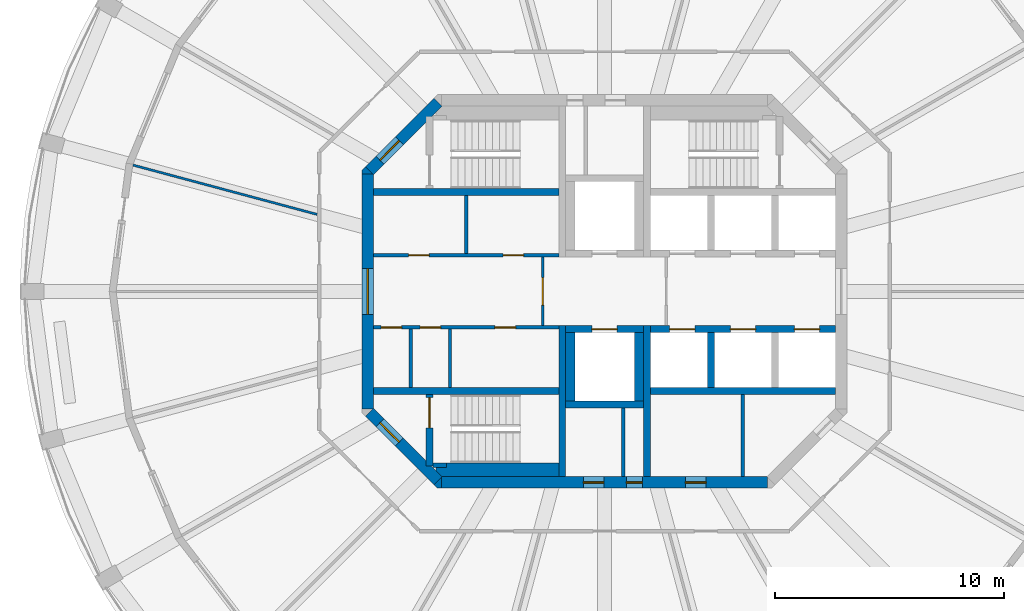
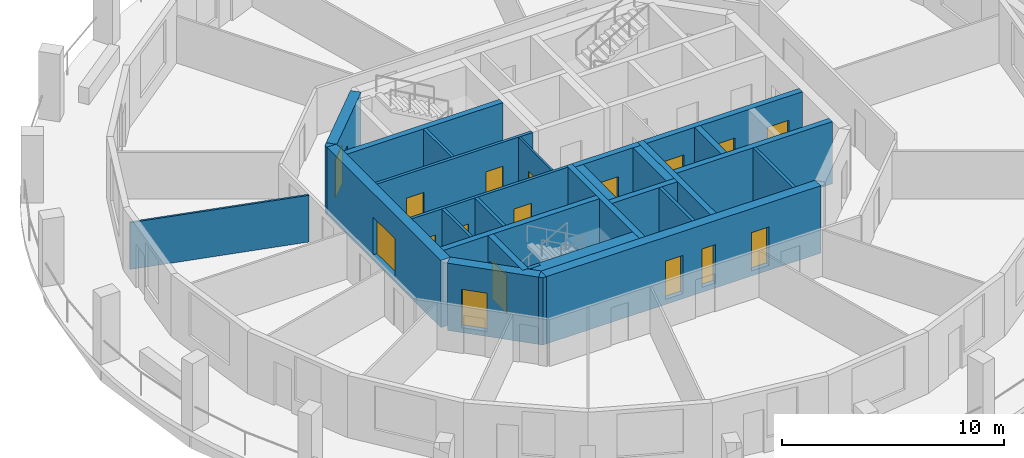
# One storey, part 3 of 8: 29 walls, 17 doors, 17 openings.
"""IFC4 building model written with IfcOpenShell, lengths in metres."""

import ifcopenshell
import ifcopenshell.guid

model = None  # the IFC model being written
_history = None  # IfcOwnerHistory: only IFC2X3 demands one
_inside = {}  # id of a spatial element -> (the spatial element, [elements in it])
_under = {}  # id of a project, library or spatial element -> (it, [spatial elements below it])
_declared = {}  # id of a project -> (the project, [libraries it declares])
_typed = {}  # id of a type object -> (the type object, [elements of that type])
_made_of = {}  # id of a material, layer set ... -> (it, [elements and type objects made of it])


def new_model(schema):
    """Start an empty IFC model of exactly this schema.

    Asked for "IFC4X3", IfcOpenShell would pick the latest addendum, in which some entities
    have other attributes; the version numbers below select the first issue.
    IFC2X3 requires an IfcOwnerHistory on every rooted entity: one is made here for all.
    """
    global model, _history
    if schema == "IFC4X3":
        model = ifcopenshell.file(schema_version=(4, 3, 0, 0))
    else:
        model = ifcopenshell.file(schema=schema)
    _inside.clear()
    _under.clear()
    _declared.clear()
    _typed.clear()
    _made_of.clear()
    _history = None
    if model.schema == "IFC2X3":
        org = make("IfcOrganization", Name="unknown")
        user = make(
            "IfcPersonAndOrganization",
            ThePerson=make("IfcPerson", FamilyName="unknown"),
            TheOrganization=org,
        )
        app = make(
            "IfcApplication",
            ApplicationDeveloper=org,
            Version="unknown",
            ApplicationFullName="unknown",
            ApplicationIdentifier="unknown",
        )
        _history = make(
            "IfcOwnerHistory",
            OwningUser=user,
            OwningApplication=app,
            ChangeAction="ADDED",
            CreationDate=0,
        )
    return model


def make(cls, **values):
    """One entity of the class cls with the attributes given. An attribute that is None is left unset."""
    return model.create_entity(
        cls, **{name: value for name, value in values.items() if value is not None}
    )


def rooted(cls, **values):
    """An entity with a GlobalId (a new one), such as an element, a storey or a relation."""
    return make(cls, GlobalId=ifcopenshell.guid.new(), OwnerHistory=_history, **values)


def si_unit(unit_type, name, prefix=None):
    """IfcSIUnit, for example si_unit("LENGTHUNIT", "METRE", prefix="MILLI")."""
    return make("IfcSIUnit", UnitType=unit_type, Prefix=prefix, Name=name)


def assignment(units):
    """IfcUnitAssignment: the units of a project."""
    return None if units is None else make("IfcUnitAssignment", Units=units)


def point(xyz):
    """IfcCartesianPoint."""
    return None if xyz is None else make("IfcCartesianPoint", Coordinates=xyz)


def direction(xyz):
    """IfcDirection."""
    return None if xyz is None else make("IfcDirection", DirectionRatios=xyz)


def frame(location, z_axis=None, x_axis=None):
    """IfcAxis2Placement3D, a coordinate frame: its origin and axes. An axis left out is left unset."""
    return make(
        "IfcAxis2Placement3D",
        Location=point(location),
        Axis=direction(z_axis),
        RefDirection=direction(x_axis),
    )


def frame_2d(location, x_axis=None):
    """IfcAxis2Placement2D, a coordinate frame in the plane: its origin and x axis."""
    return make(
        "IfcAxis2Placement2D", Location=point(location), RefDirection=direction(x_axis)
    )


def origin():
    """The frame at (0, 0, 0) with its axes left unset."""
    return frame((0.0, 0.0, 0.0))


def place(relative_to, where):
    """IfcLocalPlacement: puts the frame where relative to a parent placement (None: the world)."""
    return make(
        "IfcLocalPlacement", PlacementRelTo=relative_to, RelativePlacement=where
    )


def context(
    kind, dimensions, precision=None, world=None, true_north=None, identifier=None
):
    """IfcGeometricRepresentationContext, for example the 3D "Model" context."""
    return make(
        "IfcGeometricRepresentationContext",
        ContextIdentifier=identifier,
        ContextType=kind,
        CoordinateSpaceDimension=dimensions,
        Precision=precision,
        WorldCoordinateSystem=world,
        TrueNorth=true_north,
    )


def subcontext(parent, identifier, kind, view, scale=None):
    """IfcGeometricRepresentationSubContext, for example "Body" below "Model"."""
    return make(
        "IfcGeometricRepresentationSubContext",
        ContextIdentifier=identifier,
        ContextType=kind,
        ParentContext=parent,
        TargetScale=scale,
        TargetView=view,
    )


def project(units=None, contexts=None):
    """IfcProject with its units and contexts."""
    return rooted(
        "IfcProject",
        Name="project",
        RepresentationContexts=contexts,
        UnitsInContext=assignment(units),
    )


def spatial(cls, under=None, at=None, **own):
    """A site, building, storey or space (cls), placed at a placement, below another one or the project."""
    s = rooted(cls, ObjectPlacement=at, **own)
    if under is not None:
        _under.setdefault(under.id(), (under, []))[1].append(s)
    return s


def polyline(points):
    """IfcPolyline through the points."""
    return make("IfcPolyline", Points=[point(p) for p in points])


def profile(cls, at=None, kind="AREA", **sizes):
    """A parametric profile (cls). Its sizes go by their IFC names, for example OverallWidth=200.0."""
    return make(cls, ProfileType=kind, Position=at, **sizes)


def rectangle(**sizes):
    """IfcRectangleProfileDef."""
    return profile("IfcRectangleProfileDef", **sizes)


def outline(outer, holes=None, kind="AREA"):
    """IfcArbitraryClosedProfileDef: a profile drawn as a closed curve; with holes, ...WithVoids."""
    if holes is None:
        return make("IfcArbitraryClosedProfileDef", ProfileType=kind, OuterCurve=outer)
    return make(
        "IfcArbitraryProfileDefWithVoids",
        ProfileType=kind,
        OuterCurve=outer,
        InnerCurves=holes,
    )


def extrude(swept, where, along, depth):
    """IfcExtrudedAreaSolid: the profile swept, set in the frame where, extruded along a direction by depth."""
    return make(
        "IfcExtrudedAreaSolid",
        SweptArea=swept,
        Position=where,
        ExtrudedDirection=direction(along),
        Depth=depth,
    )


def shape(context_of_items, identifier, shape_type, items):
    """IfcShapeRepresentation: the items that make up one representation, for example the "Body"."""
    return make(
        "IfcShapeRepresentation",
        ContextOfItems=context_of_items,
        RepresentationIdentifier=identifier,
        RepresentationType=shape_type,
        Items=items,
    )


def material(Name=None, Category=None):
    """IfcMaterial."""
    return make("IfcMaterial", Name=Name, Category=Category)


def layer(
    of_material, thickness, ventilated=None, Name=None, Category=None, Priority=None
):
    """IfcMaterialLayer: one layer of a wall or slab, of a material (None: an air gap)."""
    return make(
        "IfcMaterialLayer",
        Material=of_material,
        LayerThickness=thickness,
        IsVentilated=ventilated,
        Name=Name,
        Category=Category,
        Priority=Priority,
    )


def layer_set(layers, Name=None):
    """IfcMaterialLayerSet."""
    return make("IfcMaterialLayerSet", MaterialLayers=layers, LayerSetName=Name)


def made_of(thing, what):
    """Note that an element or type object is made of a material, layer set ...; save() writes the relation."""
    if what is not None:
        _made_of.setdefault(what.id(), (what, []))[1].append(thing)
    return thing


def type_object(cls, material=None, **own):
    """A type object (cls), such as IfcWallType, which elements share."""
    return made_of(rooted(cls, **own), material)


def element(
    cls,
    number,
    at=None,
    inside=None,
    cuts=None,
    type_object=None,
    material=None,
    context=None,
    identifier="Body",
    shape_type=None,
    held_by="IfcProductDefinitionShape",
    body=None,
    shapes=None,
    **own,
):
    """One element of the class cls, such as IfcWall. Its Tag is "e" and its number.

    at: its placement. inside: the storey or other place that contains it. cuts: it is an
    opening in that element (IfcRelVoidsElement). A single representation is given by context,
    identifier, shape_type and body (its items); several are given by shapes. held_by: the class
    of the entity that holds the representations. save() writes the other relations.
    """
    e = rooted(cls, Tag="e%d" % number, ObjectPlacement=at, **own)
    if body is not None:
        shapes = [shape(context, identifier, shape_type, body)]
    if shapes is not None:
        e.Representation = make(held_by, Representations=shapes)
    if inside is not None:
        _inside.setdefault(inside.id(), (inside, []))[1].append(e)
    if cuts is not None:
        rooted(
            "IfcRelVoidsElement", RelatingBuildingElement=cuts, RelatedOpeningElement=e
        )
    if type_object is not None:
        _typed.setdefault(type_object.id(), (type_object, []))[1].append(e)
    return made_of(e, material)


def fill(opening, filler):
    """IfcRelFillsElement: the door or window that sits in an opening."""
    return rooted(
        "IfcRelFillsElement",
        RelatingOpeningElement=opening,
        RelatedBuildingElement=filler,
    )


def aggregate(whole, parts):
    """IfcRelAggregates: a whole, such as a stair, and the parts it consists of."""
    return rooted("IfcRelAggregates", RelatingObject=whole, RelatedObjects=parts)


def save(model, path):
    """Write the relations noted so far, then the file.

    IfcRelAggregates (storeys below a building ...), IfcRelContainedInSpatialStructure (elements
    in a storey), IfcRelDefinesByType, IfcRelAssociatesMaterial and IfcRelDeclares: one each for
    every whole, place, type object, material and project.
    """
    for whole, parts in _under.values():
        aggregate(whole, parts)
    for where, things in _inside.values():
        rooted(
            "IfcRelContainedInSpatialStructure",
            RelatedElements=things,
            RelatingStructure=where,
        )
    for kind, things in _typed.values():
        rooted("IfcRelDefinesByType", RelatedObjects=things, RelatingType=kind)
    for what, things in _made_of.values():
        rooted("IfcRelAssociatesMaterial", RelatedObjects=things, RelatingMaterial=what)
    for by, libraries in _declared.values():
        rooted("IfcRelDeclares", RelatingContext=by, RelatedDefinitions=libraries)
    model.write(path)


model = new_model("IFC4")

# Units and contexts
model_context = context("Model", 3, precision=1e-05, world=origin(), true_north=direction((0.0, 1.0)))
body_context = subcontext(model_context, "Body", "Model", "MODEL_VIEW")
ifc_project = project(units=[si_unit("LENGTHUNIT", "METRE"), si_unit("AREAUNIT", "SQUARE_METRE"), si_unit("VOLUMEUNIT", "CUBIC_METRE"), si_unit("PLANEANGLEUNIT", "RADIAN"), si_unit("MASSUNIT", "GRAM", prefix="KILO")], contexts=[model_context])

# Site, building, storey
site_placement = place(None, origin())
site = spatial("IfcSite", under=ifc_project, at=site_placement, CompositionType="ELEMENT")
building_placement = place(site_placement, origin())
building = spatial("IfcBuilding", under=site, at=building_placement, Name="Torre Triforio", CompositionType="ELEMENT")
storey_placement = place(building_placement, frame((0.0, 0.0, 287.10009765625)))
storey = spatial("IfcBuildingStorey", under=building, at=storey_placement, Name="L66", CompositionType="ELEMENT", Elevation=287.10009765625)

# Walls
ifc_material_1 = material(Name="Concrete C40", Category="concrete")
ifc_layer_1 = layer(ifc_material_1, 0.300048828125)
ifc_layer_set_1 = layer_set([ifc_layer_1], Name="Concrete C40")
wall_type_1 = type_object("IfcWallType", Name="Core wall 300 mm C40 EI 120", PredefinedType="SHEAR", material=ifc_layer_set_1)
for number, where, z_axis, x_axis, name in (
    (1, (-1.85009765625, -8.10009765625, 0.0), (0.0, 0.0, 1.0), (0.0, 1.0, 0.0), "Core wall"),
    (2, (1.85009765625, -8.10009765625, 0.0), (0.0, 0.0, 1.0), (0.0, 1.0, 0.0), "Core wall"),
):
    element("IfcWall", number, at=place(storey_placement, frame(where, z_axis=z_axis, x_axis=x_axis)), inside=storey, type_object=wall_type_1, Name=name, PredefinedType="SHEAR", context=body_context, shape_type="SweptSolid", body=[
        extrude(rectangle(XDim=6.60009765625, YDim=0.300048828125, at=frame_2d((3.300048828125, 0.0))), origin(), (0.0, 0.0, 1.0), 3.419921875),
    ])

# Wall, openings, doors
ifc_layer_2 = layer(ifc_material_1, 0.5)
ifc_layer_set_2 = layer_set([ifc_layer_2], Name="Concrete C40")
wall_type_2 = type_object("IfcWallType", Name="Core wall 500 mm C40 EI 120", PredefinedType="SHEAR", material=ifc_layer_set_2)
wall_1_placement = place(storey_placement, frame((-7.1298828125, -8.35009765625, -0.280029296875), z_axis=(0.0, 0.0, 1.0), x_axis=(1.0, 0.0, 0.0)))
wall_1 = element("IfcWall", 3, at=wall_1_placement, inside=storey, type_object=wall_type_2, Name="Core wall", PredefinedType="SHEAR", context=body_context, shape_type="SweptSolid", body=[
    extrude(rectangle(XDim=14.259765625, YDim=0.5, at=frame_2d((7.1298828125, 0.0))), origin(), (0.0, 0.0, 1.0), 3.699951171875),
])
opening_1_placement = place(wall_1_placement, frame((8.080078125, 0.0, 0.280029296875)))
opening_1 = element("IfcOpeningElement", 4, at=opening_1_placement, cuts=wall_1, Name="Opening RISER-S", PredefinedType="OPENING", context=body_context, shape_type="SweptSolid", body=[
    extrude(rectangle(XDim=0.699951171875, YDim=2.10009765625, at=frame_2d((0.35009765625, 1.050048828125))), frame((0.0, 0.260009765625, 0.0), z_axis=(0.0, -1.0, 0.0), x_axis=(1.0, 0.0, 0.0)), (0.0, 0.0, 1.0), 0.52001953125),
])
opening_2_placement = place(wall_1_placement, frame((6.205078125, 0.0, 0.280029296875)))
opening_2 = element("IfcOpeningElement", 5, at=opening_2_placement, cuts=wall_1, Name="Opening SW-01B", PredefinedType="OPENING", context=body_context, shape_type="SweptSolid", body=[
    extrude(rectangle(XDim=0.89990234375, YDim=2.10009765625, at=frame_2d((0.449951171875, 1.050048828125))), frame((0.0, 0.260009765625, 0.0), z_axis=(0.0, -1.0, 0.0), x_axis=(1.0, 0.0, 0.0)), (0.0, 0.0, 1.0), 0.52001953125),
])
opening_3_placement = place(wall_1_placement, frame((10.66748046875, 0.0, 0.280029296875)))
opening_3 = element("IfcOpeningElement", 6, at=opening_3_placement, cuts=wall_1, Name="Opening SE-01A", PredefinedType="OPENING", context=body_context, shape_type="SweptSolid", body=[
    extrude(rectangle(XDim=0.89990234375, YDim=2.10009765625, at=frame_2d((0.449951171875, 1.050048828125))), frame((0.0, 0.260009765625, 0.0), z_axis=(0.0, -1.0, 0.0), x_axis=(1.0, 0.0, 0.0)), (0.0, 0.0, 1.0), 0.52001953125),
])
ifc_material_2 = material(Name="Hollow metal fire door leaf")
door_type_1 = type_object("IfcDoorType", Name="Riser door 700 x 2100 EI 60", OperationType="NOTDEFINED", PredefinedType="DOOR", material=ifc_material_2)
door_1_placement = place(opening_1_placement, origin())
door_1 = element("IfcDoor", 7, at=door_1_placement, inside=storey, type_object=door_type_1, Name="Core door RISER-S", OperationType="SINGLE_SWING_RIGHT", OverallHeight=2.10009765625, OverallWidth=0.699951171875, PredefinedType="DOOR", context=body_context, shape_type="SweptSolid", body=[
    extrude(rectangle(XDim=0.699951171875, YDim=2.10009765625, at=frame_2d((0.35009765625, 1.050048828125))), frame((0.0, 0.02490234375, 0.0), z_axis=(0.0, -1.0, 0.0), x_axis=(1.0, 0.0, 0.0)), (0.0, 0.0, 1.0), 0.050048828125),
])
fill(opening_1, door_1)
door_type_2 = type_object("IfcDoorType", Name="Room door 900 x 2100 EI 60", OperationType="NOTDEFINED", PredefinedType="DOOR", material=ifc_material_2)
door_2_placement = place(opening_2_placement, origin())
door_2 = element("IfcDoor", 8, at=door_2_placement, inside=storey, type_object=door_type_2, Name="Core door SW-01", OperationType="SINGLE_SWING_LEFT", OverallHeight=2.10009765625, OverallWidth=0.89990234375, PredefinedType="DOOR", context=body_context, shape_type="SweptSolid", body=[
    extrude(rectangle(XDim=0.89990234375, YDim=2.10009765625, at=frame_2d((0.449951171875, 1.050048828125))), frame((0.0, 0.02490234375, 0.0), z_axis=(0.0, -1.0, 0.0), x_axis=(1.0, 0.0, 0.0)), (0.0, 0.0, 1.0), 0.050048828125),
])
fill(opening_2, door_2)
door_3_placement = place(opening_3_placement, origin())
door_3 = element("IfcDoor", 9, at=door_3_placement, inside=storey, type_object=door_type_2, Name="Core door SE-01", OperationType="SINGLE_SWING_LEFT", OverallHeight=2.10009765625, OverallWidth=0.89990234375, PredefinedType="DOOR", context=body_context, shape_type="SweptSolid", body=[
    extrude(rectangle(XDim=0.89990234375, YDim=2.10009765625, at=frame_2d((0.449951171875, 1.050048828125))), frame((0.0, 0.02490234375, 0.0), z_axis=(0.0, -1.0, 0.0), x_axis=(1.0, 0.0, 0.0)), (0.0, 0.0, 1.0), 0.050048828125),
])
fill(opening_3, door_3)

# Wall, opening, door
wall_2_placement = place(storey_placement, frame((-10.35009765625, -5.1298828125, -0.280029296875), z_axis=(0.0, 0.0, 1.0), x_axis=(0.0, 1.0, 0.0)))
wall_2 = element("IfcWall", 10, at=wall_2_placement, inside=storey, type_object=wall_type_2, Name="Core wall", PredefinedType="SHEAR", context=body_context, shape_type="SweptSolid", body=[
    extrude(rectangle(XDim=10.259765625, YDim=0.5, at=frame_2d((5.1298828125, 0.0))), origin(), (0.0, 0.0, 1.0), 3.699951171875),
])
opening_4_placement = place(wall_2_placement, frame((4.1298828125, 0.0, 0.280029296875)))
opening_4 = element("IfcOpeningElement", 11, at=opening_4_placement, cuts=wall_2, Name="Opening W-RING", PredefinedType="OPENING", context=body_context, shape_type="SweptSolid", body=[
    extrude(rectangle(XDim=2.0, YDim=2.10009765625, at=frame_2d((1.0, 1.050048828125))), frame((0.0, 0.260009765625, 0.0), z_axis=(0.0, -1.0, 0.0), x_axis=(1.0, 0.0, 0.0)), (0.0, 0.0, 1.0), 0.52001953125),
])
door_type_3 = type_object("IfcDoorType", Name="Lobby door 2000 x 2100 EI 60", OperationType="DOUBLE_DOOR_SINGLE_SWING", PredefinedType="DOOR", material=ifc_material_2)
door_4_placement = place(opening_4_placement, origin())
door_4 = element("IfcDoor", 12, at=door_4_placement, inside=storey, type_object=door_type_3, Name="Core door W-RING", OperationType="DOUBLE_DOOR_SINGLE_SWING", OverallHeight=2.10009765625, OverallWidth=2.0, PredefinedType="DOOR", context=body_context, shape_type="SweptSolid", body=[
    extrude(rectangle(XDim=2.0, YDim=2.10009765625, at=frame_2d((1.0, 1.050048828125))), frame((0.0, 0.02490234375, 0.0), z_axis=(0.0, -1.0, 0.0), x_axis=(1.0, 0.0, 0.0)), (0.0, 0.0, 1.0), 0.050048828125),
])
fill(opening_4, door_4)

wall_3_placement = place(storey_placement, frame((-10.27685546875, 5.27685546875, -0.280029296875), z_axis=(0.0, 0.0, 1.0), x_axis=(0.707106781187, 0.707106781187, 0.0)))
wall_3 = element("IfcWall", 13, at=wall_3_placement, inside=storey, type_object=wall_type_2, Name="Core wall", PredefinedType="SHEAR", context=body_context, shape_type="SweptSolid", body=[
    extrude(rectangle(XDim=4.24267578125, YDim=0.5, at=frame_2d((2.121337890625, 0.0))), origin(), (0.0, 0.0, 1.0), 3.699951171875),
])
opening_5_placement = place(wall_3_placement, frame((0.64990234375, 0.0, 0.280029296875)))
opening_5 = element("IfcOpeningElement", 14, at=opening_5_placement, cuts=wall_3, Name="Opening ST1-EXIT", PredefinedType="OPENING", context=body_context, shape_type="SweptSolid", body=[
    extrude(rectangle(XDim=1.199951171875, YDim=2.10009765625, at=frame_2d((0.60009765625, 1.050048828125))), frame((0.0, 0.260009765625, 0.0), z_axis=(0.0, -1.0, 0.0), x_axis=(1.0, 0.0, 0.0)), (0.0, 0.0, 1.0), 0.52001953125),
])
door_type_4 = type_object("IfcDoorType", Name="Stair lobby door 1200 x 2100 EI 60", OperationType="NOTDEFINED", PredefinedType="DOOR", material=ifc_material_2)
door_5_placement = place(opening_5_placement, origin())
door_5 = element("IfcDoor", 15, at=door_5_placement, inside=storey, type_object=door_type_4, Name="Core door ST1-EXIT", OperationType="SINGLE_SWING_RIGHT", OverallHeight=2.10009765625, OverallWidth=1.199951171875, PredefinedType="DOOR", context=body_context, shape_type="SweptSolid", body=[
    extrude(rectangle(XDim=1.199951171875, YDim=2.10009765625, at=frame_2d((0.60009765625, 1.050048828125))), frame((0.0, 0.02490234375, 0.0), z_axis=(0.0, -1.0, 0.0), x_axis=(1.0, 0.0, 0.0)), (0.0, 0.0, 1.0), 0.050048828125),
])
fill(opening_5, door_5)

wall_4_placement = place(storey_placement, frame((-7.27685546875, -8.27685546875, -0.280029296875), z_axis=(0.0, 0.0, 1.0), x_axis=(-0.707106781187, 0.707106781187, 0.0)))
wall_4 = element("IfcWall", 16, at=wall_4_placement, inside=storey, type_object=wall_type_2, Name="Core wall", PredefinedType="SHEAR", context=body_context, shape_type="SweptSolid", body=[
    extrude(rectangle(XDim=4.24267578125, YDim=0.5, at=frame_2d((2.121337890625, 0.0))), origin(), (0.0, 0.0, 1.0), 3.699951171875),
])
opening_6_placement = place(wall_4_placement, frame((2.392578125, 0.0, 0.280029296875)))
opening_6 = element("IfcOpeningElement", 17, at=opening_6_placement, cuts=wall_4, Name="Opening ST3-EXIT", PredefinedType="OPENING", context=body_context, shape_type="SweptSolid", body=[
    extrude(rectangle(XDim=1.199951171875, YDim=2.10009765625, at=frame_2d((0.60009765625, 1.050048828125))), frame((0.0, 0.260009765625, 0.0), z_axis=(0.0, -1.0, 0.0), x_axis=(1.0, 0.0, 0.0)), (0.0, 0.0, 1.0), 0.52001953125),
])
door_6_placement = place(opening_6_placement, origin())
door_6 = element("IfcDoor", 18, at=door_6_placement, inside=storey, type_object=door_type_4, Name="Core door ST3-EXIT", OperationType="SINGLE_SWING_RIGHT", OverallHeight=2.10009765625, OverallWidth=1.199951171875, PredefinedType="DOOR", context=body_context, shape_type="SweptSolid", body=[
    extrude(rectangle(XDim=1.199951171875, YDim=2.10009765625, at=frame_2d((0.60009765625, 1.050048828125))), frame((0.0, 0.02490234375, 0.0), z_axis=(0.0, -1.0, 0.0), x_axis=(1.0, 0.0, 0.0)), (0.0, 0.0, 1.0), 0.050048828125),
])
fill(opening_6, door_6)

# Walls
wall_5_placement = place(storey_placement, frame((0.0, 0.0, -0.280029296875)))
element("IfcWall", 19, at=wall_5_placement, inside=storey, type_object=wall_type_2, Name="Core wall", PredefinedType="SHEAR", context=body_context, shape_type="SweptSolid", body=[
    extrude(outline(polyline([(-7.30712890625, -8.60009765625), (-7.45361328125, -8.45361328125), (-7.1298828125, -8.1298828125), (-7.1298828125, -8.60009765625), (-7.30712890625, -8.60009765625)])), origin(), (0.0, 0.0, 1.0), 3.699951171875),
])
wall_6_placement = place(storey_placement, frame((0.0, 0.0, -0.280029296875)))
element("IfcWall", 20, at=wall_6_placement, inside=storey, type_object=wall_type_2, Name="Core wall", PredefinedType="SHEAR", context=body_context, shape_type="SweptSolid", body=[
    extrude(outline(polyline([(-10.45361328125, 5.45361328125), (-10.1298828125, 5.1298828125), (-10.60009765625, 5.1298828125), (-10.60009765625, 5.30712890625), (-10.45361328125, 5.45361328125)])), origin(), (0.0, 0.0, 1.0), 3.699951171875),
])

# Wall, opening, door
ifc_material_3 = material(Name="Block and board partition")
ifc_layer_3 = layer(ifc_material_3, 0.10009765625)
ifc_layer_set_3 = layer_set([ifc_layer_3], Name="Block and board partition")
wall_type_3 = type_object("IfcWallType", Name="Partition 100 mm EI 120", PredefinedType="PARTITIONING", material=ifc_layer_set_3)
wall_7_placement = place(storey_placement, frame((-2.699951171875, -1.5, 0.0), z_axis=(0.0, 0.0, 1.0), x_axis=(0.0, 1.0, 0.0)))
wall_7 = element("IfcWall", 21, at=wall_7_placement, inside=storey, type_object=wall_type_3, Name="Partition", PredefinedType="PARTITIONING", context=body_context, shape_type="SweptSolid", body=[
    extrude(rectangle(XDim=3.0, YDim=0.10009765625, at=frame_2d((1.5, 0.0))), origin(), (0.0, 0.0, 1.0), 3.419921875),
])
opening_7_placement = place(wall_7_placement, frame((0.89990234375, 0.0, 0.0)))
opening_7 = element("IfcOpeningElement", 22, at=opening_7_placement, cuts=wall_7, Name="Opening FF-W", PredefinedType="OPENING", context=body_context, shape_type="SweptSolid", body=[
    extrude(rectangle(XDim=1.199951171875, YDim=2.10009765625, at=frame_2d((0.60009765625, 1.050048828125))), frame((0.0, 0.06005859375, 0.0), z_axis=(0.0, -1.0, 0.0), x_axis=(1.0, 0.0, 0.0)), (0.0, 0.0, 1.0), 0.1201171875),
])
door_type_5 = type_object("IfcDoorType", Name="Fire-fighting lobby door 1200 x 2100 EI 60", OperationType="NOTDEFINED", PredefinedType="DOOR", material=ifc_material_2)
door_7_placement = place(opening_7_placement, origin())
door_7 = element("IfcDoor", 23, at=door_7_placement, inside=storey, type_object=door_type_5, Name="Core door FF-W", OperationType="SINGLE_SWING_RIGHT", OverallHeight=2.10009765625, OverallWidth=1.199951171875, PredefinedType="DOOR", context=body_context, shape_type="SweptSolid", body=[
    extrude(rectangle(XDim=1.199951171875, YDim=2.10009765625, at=frame_2d((0.60009765625, 1.050048828125))), frame((0.0, 0.02490234375, 0.0), z_axis=(0.0, -1.0, 0.0), x_axis=(1.0, 0.0, 0.0)), (0.0, 0.0, 1.0), 0.050048828125),
])
fill(opening_7, door_7)

# Walls
ifc_material_4 = material(Name="Plasterboard on metal studs")
ifc_layer_4 = layer(ifc_material_4, 0.10009765625)
ifc_layer_set_4 = layer_set([ifc_layer_4], Name="Plasterboard on metal studs")
wall_type_4 = type_object("IfcWallType", Name="Partition 100 mm board on metal studs", PredefinedType="PARTITIONING", material=ifc_layer_set_4)
wall_8_placement = place(storey_placement, frame((-12.564208984375, 3.36669921875, 0.0), z_axis=(0.0, 0.0, 1.0), x_axis=(-0.965933136847, 0.258791760188, 0.0)))
element("IfcWall", 24, at=wall_8_placement, inside=storey, type_object=wall_type_4, Name="Partition 16", PredefinedType="PARTITIONING", context=body_context, shape_type="SweptSolid", body=[
    extrude(rectangle(XDim=8.3291015625, YDim=0.10009765625, at=frame_2d((4.16455078125, 0.0))), origin(), (0.0, 0.0, 1.0), 2.56982421875),
])
ifc_layer_5 = layer(ifc_material_3, 0.14990234375)
ifc_layer_set_5 = layer_set([ifc_layer_5], Name="Block and board partition")
wall_type_5 = type_object("IfcWallType", Name="Partition 150 mm", PredefinedType="PARTITIONING", material=ifc_layer_set_5)
wall_9_placement = place(storey_placement, frame((6.050048828125, -8.10009765625, 0.0), z_axis=(0.0, 0.0, 1.0), x_axis=(0.0, 1.0, 0.0)))
element("IfcWall", 25, at=wall_9_placement, inside=storey, type_object=wall_type_5, Name="Partition", PredefinedType="PARTITIONING", context=body_context, shape_type="SweptSolid", body=[
    extrude(rectangle(XDim=3.60009765625, YDim=0.14990234375, at=frame_2d((1.800048828125, 0.0))), origin(), (0.0, 0.0, 1.0), 3.419921875),
])
for number, where, z_axis, x_axis, name in (
    (26, (-6.050048828125, 1.64990234375, 0.0), (0.0, 0.0, 1.0), (0.0, 1.0, 0.0), "Partition"),
    (27, (-8.465087890625, -4.199951171875, 0.0), (0.0, 0.0, 1.0), (0.0, 1.0, 0.0), "Partition"),
    (28, (-6.7548828125, -4.199951171875, 0.0), (0.0, 0.0, 1.0), (0.0, 1.0, 0.0), "Partition"),
):
    element("IfcWall", number, at=place(storey_placement, frame(where, z_axis=z_axis, x_axis=x_axis)), inside=storey, type_object=wall_type_5, Name=name, PredefinedType="PARTITIONING", context=body_context, shape_type="SweptSolid", body=[
        extrude(rectangle(XDim=2.550048828125, YDim=0.14990234375, at=frame_2d((1.27490234375, 0.0))), origin(), (0.0, 0.0, 1.0), 3.419921875),
    ])
ifc_layer_6 = layer(ifc_material_3, 0.14990234375)
ifc_layer_set_6 = layer_set([ifc_layer_6], Name="Block and board partition")
wall_type_6 = type_object("IfcWallType", Name="Partition 150 mm EI 120", PredefinedType="PARTITIONING", material=ifc_layer_set_6)
wall_10_placement = place(storey_placement, frame((0.824951171875, -8.10009765625, 0.0), z_axis=(0.0, 0.0, 1.0), x_axis=(0.0, 1.0, 0.0)))
element("IfcWall", 29, at=wall_10_placement, inside=storey, type_object=wall_type_6, Name="Partition", PredefinedType="PARTITIONING", context=body_context, shape_type="SweptSolid", body=[
    extrude(rectangle(XDim=3.0, YDim=0.14990234375, at=frame_2d((1.5, 0.0))), origin(), (0.0, 0.0, 1.0), 3.419921875),
])

# Wall, openings, doors
wall_11_placement = place(storey_placement, frame((-10.10009765625, 1.574951171875, 0.0), z_axis=(0.0, 0.0, 1.0), x_axis=(1.0, 0.0, 0.0)))
wall_11 = element("IfcWall", 30, at=wall_11_placement, inside=storey, type_object=wall_type_6, Name="Partition", PredefinedType="PARTITIONING", context=body_context, shape_type="SweptSolid", body=[
    extrude(rectangle(XDim=8.10009765625, YDim=0.14990234375, at=frame_2d((4.050048828125, 0.0))), origin(), (0.0, 0.0, 1.0), 3.419921875),
])
opening_8_placement = place(wall_11_placement, frame((1.53759765625, 0.0, 0.0)))
opening_8 = element("IfcOpeningElement", 31, at=opening_8_placement, cuts=wall_11, Name="Opening FN-01", PredefinedType="OPENING", context=body_context, shape_type="SweptSolid", body=[
    extrude(rectangle(XDim=0.89990234375, YDim=2.10009765625, at=frame_2d((0.449951171875, 1.050048828125))), frame((0.0, 0.0849609375, 0.0), z_axis=(0.0, -1.0, 0.0), x_axis=(1.0, 0.0, 0.0)), (0.0, 0.0, 1.0), 0.169921875),
])
opening_9_placement = place(wall_11_placement, frame((5.66259765625, 0.0, 0.0)))
opening_9 = element("IfcOpeningElement", 32, at=opening_9_placement, cuts=wall_11, Name="Opening FN-02", PredefinedType="OPENING", context=body_context, shape_type="SweptSolid", body=[
    extrude(rectangle(XDim=0.89990234375, YDim=2.10009765625, at=frame_2d((0.449951171875, 1.050048828125))), frame((0.0, 0.0849609375, 0.0), z_axis=(0.0, -1.0, 0.0), x_axis=(1.0, 0.0, 0.0)), (0.0, 0.0, 1.0), 0.169921875),
])
door_8_placement = place(opening_8_placement, origin())
door_8 = element("IfcDoor", 33, at=door_8_placement, inside=storey, type_object=door_type_2, Name="Core door FN-01", OperationType="SINGLE_SWING_RIGHT", OverallHeight=2.10009765625, OverallWidth=0.89990234375, PredefinedType="DOOR", context=body_context, shape_type="SweptSolid", body=[
    extrude(rectangle(XDim=0.89990234375, YDim=2.10009765625, at=frame_2d((0.449951171875, 1.050048828125))), frame((0.0, 0.02490234375, 0.0), z_axis=(0.0, -1.0, 0.0), x_axis=(1.0, 0.0, 0.0)), (0.0, 0.0, 1.0), 0.050048828125),
])
fill(opening_8, door_8)
door_9_placement = place(opening_9_placement, origin())
door_9 = element("IfcDoor", 34, at=door_9_placement, inside=storey, type_object=door_type_2, Name="Core door FN-02", OperationType="SINGLE_SWING_RIGHT", OverallHeight=2.10009765625, OverallWidth=0.89990234375, PredefinedType="DOOR", context=body_context, shape_type="SweptSolid", body=[
    extrude(rectangle(XDim=0.89990234375, YDim=2.10009765625, at=frame_2d((0.449951171875, 1.050048828125))), frame((0.0, 0.02490234375, 0.0), z_axis=(0.0, -1.0, 0.0), x_axis=(1.0, 0.0, 0.0)), (0.0, 0.0, 1.0), 0.050048828125),
])
fill(opening_9, door_9)

wall_12_placement = place(storey_placement, frame((-10.10009765625, -1.574951171875, 0.0), z_axis=(0.0, 0.0, 1.0), x_axis=(1.0, 0.0, 0.0)))
wall_12 = element("IfcWall", 35, at=wall_12_placement, inside=storey, type_object=wall_type_6, Name="Partition", PredefinedType="PARTITIONING", context=body_context, shape_type="SweptSolid", body=[
    extrude(rectangle(XDim=8.10009765625, YDim=0.14990234375, at=frame_2d((4.050048828125, 0.0))), origin(), (0.0, 0.0, 1.0), 3.419921875),
])
opening_10_placement = place(wall_12_placement, frame((0.330078125, 0.0, 0.0)))
opening_10 = element("IfcOpeningElement", 36, at=opening_10_placement, cuts=wall_12, Name="Opening FS-01", PredefinedType="OPENING", context=body_context, shape_type="SweptSolid", body=[
    extrude(rectangle(XDim=0.89990234375, YDim=2.10009765625, at=frame_2d((0.449951171875, 1.050048828125))), frame((0.0, 0.0849609375, 0.0), z_axis=(0.0, -1.0, 0.0), x_axis=(1.0, 0.0, 0.0)), (0.0, 0.0, 1.0), 0.169921875),
])
opening_11_placement = place(wall_12_placement, frame((2.0400390625, 0.0, 0.0)))
opening_11 = element("IfcOpeningElement", 37, at=opening_11_placement, cuts=wall_12, Name="Opening FS-02", PredefinedType="OPENING", context=body_context, shape_type="SweptSolid", body=[
    extrude(rectangle(XDim=0.89990234375, YDim=2.10009765625, at=frame_2d((0.449951171875, 1.050048828125))), frame((0.0, 0.0849609375, 0.0), z_axis=(0.0, -1.0, 0.0), x_axis=(1.0, 0.0, 0.0)), (0.0, 0.0, 1.0), 0.169921875),
])
opening_12_placement = place(wall_12_placement, frame((5.31005859375, 0.0, 0.0)))
opening_12 = element("IfcOpeningElement", 38, at=opening_12_placement, cuts=wall_12, Name="Opening FS-03", PredefinedType="OPENING", context=body_context, shape_type="SweptSolid", body=[
    extrude(rectangle(XDim=0.89990234375, YDim=2.10009765625, at=frame_2d((0.449951171875, 1.050048828125))), frame((0.0, 0.0849609375, 0.0), z_axis=(0.0, -1.0, 0.0), x_axis=(1.0, 0.0, 0.0)), (0.0, 0.0, 1.0), 0.169921875),
])
door_10_placement = place(opening_10_placement, origin())
door_10 = element("IfcDoor", 39, at=door_10_placement, inside=storey, type_object=door_type_2, Name="Core door FS-01", OperationType="SINGLE_SWING_LEFT", OverallHeight=2.10009765625, OverallWidth=0.89990234375, PredefinedType="DOOR", context=body_context, shape_type="SweptSolid", body=[
    extrude(rectangle(XDim=0.89990234375, YDim=2.10009765625, at=frame_2d((0.449951171875, 1.050048828125))), frame((0.0, 0.02490234375, 0.0), z_axis=(0.0, -1.0, 0.0), x_axis=(1.0, 0.0, 0.0)), (0.0, 0.0, 1.0), 0.050048828125),
])
fill(opening_10, door_10)
door_11_placement = place(opening_11_placement, origin())
door_11 = element("IfcDoor", 40, at=door_11_placement, inside=storey, type_object=door_type_2, Name="Core door FS-02", OperationType="SINGLE_SWING_LEFT", OverallHeight=2.10009765625, OverallWidth=0.89990234375, PredefinedType="DOOR", context=body_context, shape_type="SweptSolid", body=[
    extrude(rectangle(XDim=0.89990234375, YDim=2.10009765625, at=frame_2d((0.449951171875, 1.050048828125))), frame((0.0, 0.02490234375, 0.0), z_axis=(0.0, -1.0, 0.0), x_axis=(1.0, 0.0, 0.0)), (0.0, 0.0, 1.0), 0.050048828125),
])
fill(opening_11, door_11)
door_12_placement = place(opening_12_placement, origin())
door_12 = element("IfcDoor", 41, at=door_12_placement, inside=storey, type_object=door_type_2, Name="Core door FS-03", OperationType="SINGLE_SWING_LEFT", OverallHeight=2.10009765625, OverallWidth=0.89990234375, PredefinedType="DOOR", context=body_context, shape_type="SweptSolid", body=[
    extrude(rectangle(XDim=0.89990234375, YDim=2.10009765625, at=frame_2d((0.449951171875, 1.050048828125))), frame((0.0, 0.02490234375, 0.0), z_axis=(0.0, -1.0, 0.0), x_axis=(1.0, 0.0, 0.0)), (0.0, 0.0, 1.0), 0.050048828125),
])
fill(opening_12, door_12)

# Walls
ifc_layer_7 = layer(ifc_material_1, 0.300048828125)
ifc_layer_set_7 = layer_set([ifc_layer_7], Name="Concrete C40")
wall_type_7 = type_object("IfcWallType", Name="Shaft wall 300 mm C40 EI 120", PredefinedType="SOLIDWALL", material=ifc_layer_set_7)
for number, where, z_axis, x_axis, name in (
    (42, (-10.10009765625, 4.35009765625, 0.0), (0.0, 0.0, 1.0), (1.0, 0.0, 0.0), "Shaft wall"),
    (43, (-10.10009765625, -4.35009765625, 0.0), (0.0, 0.0, 1.0), (1.0, 0.0, 0.0), "Shaft wall"),
    (44, (2.0, -4.35009765625, 0.0), (0.0, 0.0, 1.0), (1.0, 0.0, 0.0), "Shaft wall"),
):
    element("IfcWall", number, at=place(storey_placement, frame(where, z_axis=z_axis, x_axis=x_axis)), inside=storey, type_object=wall_type_7, Name=name, PredefinedType="SOLIDWALL", context=body_context, shape_type="SweptSolid", body=[
        extrude(rectangle(XDim=8.10009765625, YDim=0.300048828125, at=frame_2d((4.050048828125, 0.0))), origin(), (0.0, 0.0, 1.0), 3.419921875),
    ])

# Wall, openings, doors
wall_13_placement = place(storey_placement, frame((2.0, -1.64990234375, 0.0), z_axis=(0.0, 0.0, 1.0), x_axis=(1.0, 0.0, 0.0)))
wall_13 = element("IfcWall", 45, at=wall_13_placement, inside=storey, type_object=wall_type_7, Name="Shaft wall", PredefinedType="SOLIDWALL", context=body_context, shape_type="SweptSolid", body=[
    extrude(rectangle(XDim=8.10009765625, YDim=0.300048828125, at=frame_2d((4.050048828125, 0.0))), origin(), (0.0, 0.0, 1.0), 3.419921875),
])
opening_13_placement = place(wall_13_placement, frame((0.85009765625, 0.0, 0.0)))
opening_13 = element("IfcOpeningElement", 46, at=opening_13_placement, cuts=wall_13, Name="Opening LD", PredefinedType="OPENING", context=body_context, shape_type="SweptSolid", body=[
    extrude(rectangle(XDim=1.10009765625, YDim=2.10009765625, at=frame_2d((0.550048828125, 1.050048828125))), frame((0.0, 0.159912109375, 0.0), z_axis=(0.0, -1.0, 0.0), x_axis=(1.0, 0.0, 0.0)), (0.0, 0.0, 1.0), 0.320068359375),
])
opening_14_placement = place(wall_13_placement, frame((3.5, 0.0, 0.0)))
opening_14 = element("IfcOpeningElement", 47, at=opening_14_placement, cuts=wall_13, Name="Opening LD", PredefinedType="OPENING", context=body_context, shape_type="SweptSolid", body=[
    extrude(rectangle(XDim=1.10009765625, YDim=2.10009765625, at=frame_2d((0.550048828125, 1.050048828125))), frame((0.0, 0.159912109375, 0.0), z_axis=(0.0, -1.0, 0.0), x_axis=(1.0, 0.0, 0.0)), (0.0, 0.0, 1.0), 0.320068359375),
])
opening_15_placement = place(wall_13_placement, frame((6.300048828125, 0.0, 0.0)))
opening_15 = element("IfcOpeningElement", 48, at=opening_15_placement, cuts=wall_13, Name="Opening LD", PredefinedType="OPENING", context=body_context, shape_type="SweptSolid", body=[
    extrude(rectangle(XDim=1.10009765625, YDim=2.10009765625, at=frame_2d((0.550048828125, 1.050048828125))), frame((0.0, 0.159912109375, 0.0), z_axis=(0.0, -1.0, 0.0), x_axis=(1.0, 0.0, 0.0)), (0.0, 0.0, 1.0), 0.320068359375),
])
door_type_6 = type_object("IfcDoorType", Name="Landing door 1100 x 2100 EI 60", OperationType="DOUBLE_DOOR_SLIDING", PredefinedType="DOOR", material=ifc_material_2)
door_13_placement = place(opening_13_placement, origin())
door_13 = element("IfcDoor", 49, at=door_13_placement, inside=storey, type_object=door_type_6, Name="Landing door HR4", OperationType="DOUBLE_DOOR_SLIDING", OverallHeight=2.10009765625, OverallWidth=1.10009765625, PredefinedType="DOOR", context=body_context, shape_type="SweptSolid", body=[
    extrude(rectangle(XDim=1.10009765625, YDim=2.10009765625, at=frame_2d((0.550048828125, 1.050048828125))), frame((0.0, 0.02490234375, 0.0), z_axis=(0.0, -1.0, 0.0), x_axis=(1.0, 0.0, 0.0)), (0.0, 0.0, 1.0), 0.050048828125),
])
fill(opening_13, door_13)
door_14_placement = place(opening_14_placement, origin())
door_14 = element("IfcDoor", 50, at=door_14_placement, inside=storey, type_object=door_type_6, Name="Landing door HR5", OperationType="DOUBLE_DOOR_SLIDING", OverallHeight=2.10009765625, OverallWidth=1.10009765625, PredefinedType="DOOR", context=body_context, shape_type="SweptSolid", body=[
    extrude(rectangle(XDim=1.10009765625, YDim=2.10009765625, at=frame_2d((0.550048828125, 1.050048828125))), frame((0.0, 0.02490234375, 0.0), z_axis=(0.0, -1.0, 0.0), x_axis=(1.0, 0.0, 0.0)), (0.0, 0.0, 1.0), 0.050048828125),
])
fill(opening_14, door_14)
door_15_placement = place(opening_15_placement, origin())
door_15 = element("IfcDoor", 51, at=door_15_placement, inside=storey, type_object=door_type_6, Name="Landing door HR6", OperationType="DOUBLE_DOOR_SLIDING", OverallHeight=2.10009765625, OverallWidth=1.10009765625, PredefinedType="DOOR", context=body_context, shape_type="SweptSolid", body=[
    extrude(rectangle(XDim=1.10009765625, YDim=2.10009765625, at=frame_2d((0.550048828125, 1.050048828125))), frame((0.0, 0.02490234375, 0.0), z_axis=(0.0, -1.0, 0.0), x_axis=(1.0, 0.0, 0.0)), (0.0, 0.0, 1.0), 0.050048828125),
])
fill(opening_15, door_15)

# Wall
wall_14_placement = place(storey_placement, frame((4.64990234375, -4.199951171875, 0.0), z_axis=(0.0, 0.0, 1.0), x_axis=(0.0, 1.0, 0.0)))
element("IfcWall", 52, at=wall_14_placement, inside=storey, type_object=wall_type_7, Name="Shaft wall", PredefinedType="SOLIDWALL", context=body_context, shape_type="SweptSolid", body=[
    extrude(rectangle(XDim=2.39990234375, YDim=0.300048828125, at=frame_2d((1.199951171875, 0.0))), origin(), (0.0, 0.0, 1.0), 3.419921875),
])

# Wall, opening, door
wall_15_placement = place(storey_placement, frame((-1.699951171875, -1.64990234375, 0.0), z_axis=(0.0, 0.0, 1.0), x_axis=(1.0, 0.0, 0.0)))
wall_15 = element("IfcWall", 53, at=wall_15_placement, inside=storey, type_object=wall_type_7, Name="Shaft wall", PredefinedType="SOLIDWALL", context=body_context, shape_type="SweptSolid", body=[
    extrude(rectangle(XDim=3.39990234375, YDim=0.300048828125, at=frame_2d((1.699951171875, 0.0))), origin(), (0.0, 0.0, 1.0), 3.419921875),
])
opening_16_placement = place(wall_15_placement, frame((1.14990234375, 0.0, 0.0)))
opening_16 = element("IfcOpeningElement", 54, at=opening_16_placement, cuts=wall_15, Name="Opening LD", PredefinedType="OPENING", context=body_context, shape_type="SweptSolid", body=[
    extrude(rectangle(XDim=1.10009765625, YDim=2.10009765625, at=frame_2d((0.550048828125, 1.050048828125))), frame((0.0, 0.159912109375, 0.0), z_axis=(0.0, -1.0, 0.0), x_axis=(1.0, 0.0, 0.0)), (0.0, 0.0, 1.0), 0.320068359375),
])
door_16_placement = place(opening_16_placement, origin())
door_16 = element("IfcDoor", 55, at=door_16_placement, inside=storey, type_object=door_type_6, Name="Landing door FFL2", OperationType="DOUBLE_DOOR_SLIDING", OverallHeight=2.10009765625, OverallWidth=1.10009765625, PredefinedType="DOOR", context=body_context, shape_type="SweptSolid", body=[
    extrude(rectangle(XDim=1.10009765625, YDim=2.10009765625, at=frame_2d((0.550048828125, 1.050048828125))), frame((0.0, 0.02490234375, 0.0), z_axis=(0.0, -1.0, 0.0), x_axis=(1.0, 0.0, 0.0)), (0.0, 0.0, 1.0), 0.050048828125),
])
fill(opening_16, door_16)

# Walls
wall_16_placement = place(storey_placement, frame((-1.699951171875, -4.949951171875, 0.0), z_axis=(0.0, 0.0, 1.0), x_axis=(1.0, 0.0, 0.0)))
element("IfcWall", 56, at=wall_16_placement, inside=storey, type_object=wall_type_7, Name="Shaft wall", PredefinedType="SOLIDWALL", context=body_context, shape_type="SweptSolid", body=[
    extrude(rectangle(XDim=3.39990234375, YDim=0.300048828125, at=frame_2d((1.699951171875, 0.0))), origin(), (0.0, 0.0, 1.0), 3.419921875),
])
ifc_layer_8 = layer(ifc_material_1, 0.39990234375)
ifc_layer_set_8 = layer_set([ifc_layer_8], Name="Concrete C40")
wall_type_8 = type_object("IfcWallType", Name="Shaft wall 400 mm C40 EI 120", PredefinedType="SOLIDWALL", material=ifc_layer_set_8)
for number, where, z_axis, x_axis, name in (
    (57, (-1.5, -4.800048828125, 0.0), (0.0, 0.0, 1.0), (0.0, 1.0, 0.0), "Shaft wall"),
    (58, (1.5, -4.800048828125, 0.0), (0.0, 0.0, 1.0), (0.0, 1.0, 0.0), "Shaft wall"),
):
    element("IfcWall", number, at=place(storey_placement, frame(where, z_axis=z_axis, x_axis=x_axis)), inside=storey, type_object=wall_type_8, Name=name, PredefinedType="SOLIDWALL", context=body_context, shape_type="SweptSolid", body=[
        extrude(rectangle(XDim=3.0, YDim=0.39990234375, at=frame_2d((1.5, 0.0))), origin(), (0.0, 0.0, 1.0), 3.419921875),
    ])
ifc_layer_9 = layer(ifc_material_1, 0.199951171875)
ifc_layer_set_9 = layer_set([ifc_layer_9], Name="Concrete C40")
wall_type_9 = type_object("IfcWallType", Name="Stair wall 200 mm C40 EI 120", PredefinedType="SHEAR", material=ifc_layer_set_9)
wall_17_placement = place(storey_placement, frame((-7.5, -7.60009765625, 0.0), z_axis=(0.0, 0.0, 1.0), x_axis=(1.0, 0.0, 0.0)))
element("IfcWall", 59, at=wall_17_placement, inside=storey, type_object=wall_type_9, Name="Stair wall", PredefinedType="SHEAR", context=body_context, shape_type="SweptSolid", body=[
    extrude(rectangle(XDim=0.60009765625, YDim=0.199951171875, at=frame_2d((0.300048828125, 0.0))), origin(), (0.0, 0.0, 1.0), 3.419921875),
])

# Wall, opening, door
ifc_layer_10 = layer(ifc_material_1, 0.300048828125)
ifc_layer_set_10 = layer_set([ifc_layer_10], Name="Concrete C40")
wall_type_10 = type_object("IfcWallType", Name="Stair wall 300 mm C40 EI 120", PredefinedType="SHEAR", material=ifc_layer_set_10)
wall_18_placement = place(storey_placement, frame((-7.64990234375, -7.639892578125, 0.0), z_axis=(0.0, 0.0, 1.0), x_axis=(0.0, 1.0, 0.0)))
wall_18 = element("IfcWall", 60, at=wall_18_placement, inside=storey, type_object=wall_type_10, Name="Stair wall", PredefinedType="SHEAR", context=body_context, shape_type="SweptSolid", body=[
    extrude(rectangle(XDim=3.139892578125, YDim=0.300048828125, at=frame_2d((1.56982421875, 0.0))), origin(), (0.0, 0.0, 1.0), 3.419921875),
])
opening_17_placement = place(wall_18_placement, frame((1.679931640625, 0.0, 0.0)))
opening_17 = element("IfcOpeningElement", 61, at=opening_17_placement, cuts=wall_18, Name="Opening ST3-STA", PredefinedType="OPENING", context=body_context, shape_type="SweptSolid", body=[
    extrude(rectangle(XDim=1.320068359375, YDim=2.10009765625, at=frame_2d((0.66015625, 1.050048828125))), frame((0.0, 0.159912109375, 0.0), z_axis=(0.0, -1.0, 0.0), x_axis=(1.0, 0.0, 0.0)), (0.0, 0.0, 1.0), 0.320068359375),
])
door_type_7 = type_object("IfcDoorType", Name="Stair door 1320 x 2100 EI 90", OperationType="DOUBLE_DOOR_SINGLE_SWING", PredefinedType="DOOR", material=ifc_material_2)
door_17_placement = place(opening_17_placement, origin())
door_17 = element("IfcDoor", 62, at=door_17_placement, inside=storey, type_object=door_type_7, Name="Core door ST3-ST", OperationType="DOUBLE_DOOR_SINGLE_SWING", OverallHeight=2.10009765625, OverallWidth=1.320068359375, PredefinedType="DOOR", context=body_context, shape_type="SweptSolid", body=[
    extrude(rectangle(XDim=1.320068359375, YDim=2.10009765625, at=frame_2d((0.66015625, 1.050048828125))), frame((0.0, 0.02490234375, 0.0), z_axis=(0.0, -1.0, 0.0), x_axis=(1.0, 0.0, 0.0)), (0.0, 0.0, 1.0), 0.050048828125),
])
fill(opening_17, door_17)

# Wall
ifc_layer_11 = layer(ifc_material_1, 0.60009765625)
ifc_layer_set_11 = layer_set([ifc_layer_11], Name="Concrete C40")
wall_type_11 = type_object("IfcWallType", Name="Stair wall 600 mm C40 EI 120", PredefinedType="SHEAR", material=ifc_layer_set_11)
wall_19_placement = place(storey_placement, frame((-7.3701171875, -7.800048828125, 0.0), z_axis=(0.0, 0.0, 1.0), x_axis=(1.0, 0.0, 0.0)))
element("IfcWall", 63, at=wall_19_placement, inside=storey, type_object=wall_type_11, Name="Stair wall", PredefinedType="SHEAR", context=body_context, shape_type="SweptSolid", body=[
    extrude(rectangle(XDim=5.3701171875, YDim=0.60009765625, at=frame_2d((2.68505859375, 0.0))), origin(), (0.0, 0.0, 1.0), 3.419921875),
])

save(model, "model.ifc")
